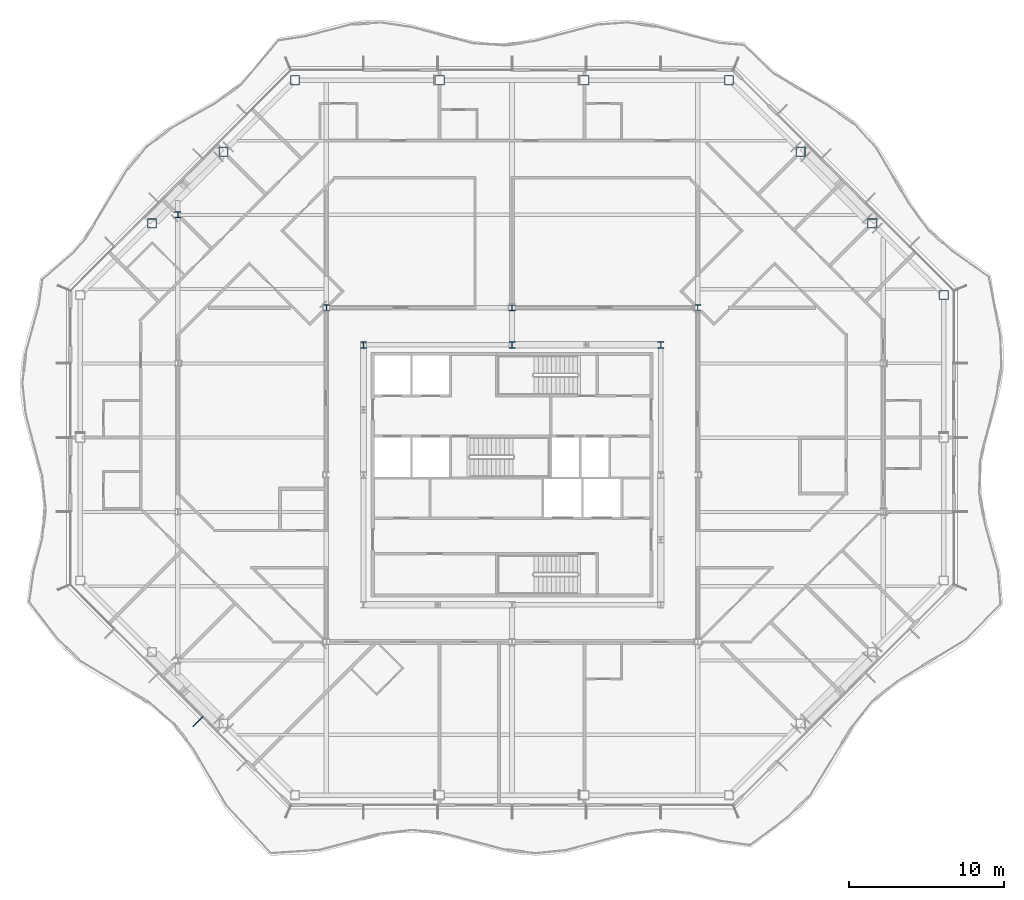
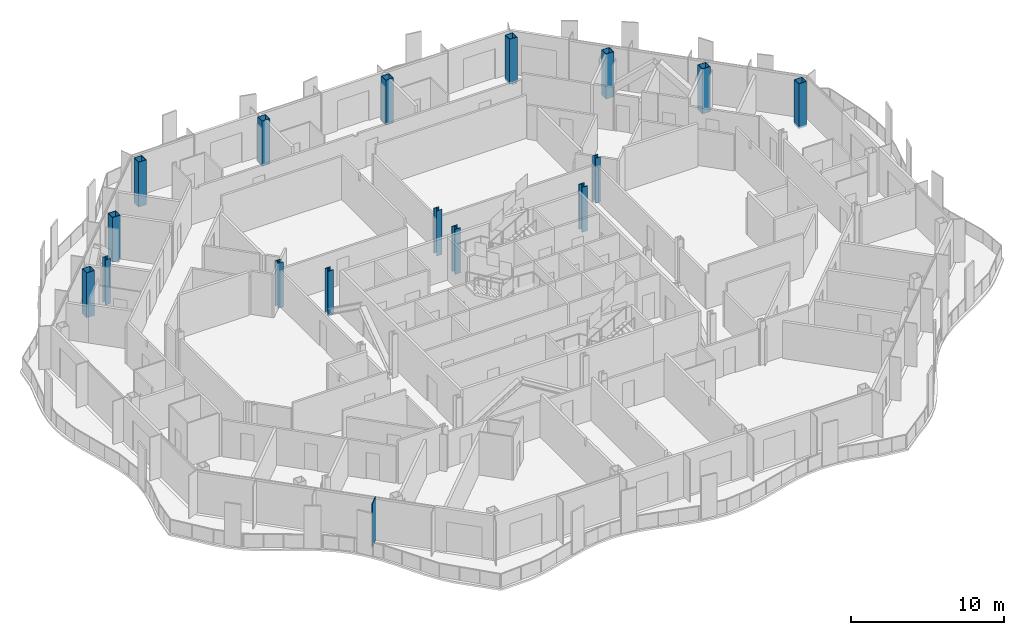
# One storey, part 2 of 21: 16 columns, 1 member, 1 element without a shape of its own.
"""IFC4 building model written with IfcOpenShell, lengths in metres."""

from ifc_helpers import new_model, si_unit, direction, frame, origin, origin_2d, place, context, subcontext, project, spatial, rectangle, hollow_rectangle, i_section, extrude, clip, halfspace, material, material_profile, profile_set, type_object, element, aggregate, save


model = new_model("IFC4")

# Units and contexts
model_context = context("Model", 3, precision=1e-05, world=origin(), true_north=direction((0.0, 1.0)))
body_context = subcontext(model_context, "Body", "Model", "MODEL_VIEW")
ifc_project = project(units=[si_unit("LENGTHUNIT", "METRE"), si_unit("AREAUNIT", "SQUARE_METRE"), si_unit("VOLUMEUNIT", "CUBIC_METRE"), si_unit("PLANEANGLEUNIT", "RADIAN"), si_unit("MASSUNIT", "GRAM", prefix="KILO")], contexts=[model_context])

# Site, building, storey
site_placement = place(None, origin())
site = spatial("IfcSite", under=ifc_project, at=site_placement, CompositionType="ELEMENT")
building_placement = place(site_placement, origin())
building = spatial("IfcBuilding", under=site, at=building_placement, Name="Cairn Pilgrim Tower", CompositionType="ELEMENT")
storey_placement = place(building_placement, frame((0.0, 0.0, 168.60009765625)))
storey = spatial("IfcBuildingStorey", under=building, at=storey_placement, Name="L42", CompositionType="ELEMENT", Elevation=168.60009765625)

# Columns
ifc_material_1 = material(Name="Structural steel S460M", Category="steel")
ifc_material_profile_1 = material_profile(ifc_material_1, hollow_rectangle(XDim=0.60009765625, YDim=0.60009765625, WallThickness=0.034912109375, at=origin_2d()), Name="BOX 600x600x35")
ifc_profile_set_1 = profile_set([ifc_material_profile_1], Name="Structural steel S460M")
column_type_1 = type_object("IfcColumnType", Name="BOX 600x600x35", PredefinedType="COLUMN", material=ifc_profile_set_1)
for number, where, z_axis, x_axis, name in (
    (1, (35.10009765625, 14.027099609375, -0.150146484375), (0.0, 0.0, 1.0), (1.0, 0.0, 0.0), "PC2-NE1"),
    (2, (30.4755859375, 18.651611328125, -0.150146484375), (0.0, 0.0, 1.0), (1.0, 0.0, 0.0), "PC2-NE2"),
    (3, (25.8515625, 23.275634765625, -0.150146484375), (0.0, 0.0, 1.0), (1.0, 0.0, 0.0), "PC2-NE3"),
    (4, (21.227294921875, 27.89990234375, -0.150146484375), (0.0, 0.0, 1.0), (1.0, 0.0, 0.0), "PC2-N1"),
    (5, (11.875732421875, 27.89990234375, -0.150146484375), (0.0, 0.0, 1.0), (1.0, 0.0, 0.0), "PC2-N2"),
    (6, (2.5244140625, 27.89990234375, -0.150146484375), (0.0, 0.0, 1.0), (1.0, 0.0, 0.0), "PC2-N3"),
    (7, (-6.8271484375, 27.89990234375, -0.150146484375), (0.0, 0.0, 1.0), (1.0, 0.0, 0.0), "PC2-NW1"),
    (8, (-11.451416015625, 23.275634765625, -0.150146484375), (0.0, 0.0, 1.0), (1.0, 0.0, 0.0), "PC2-NW2"),
    (9, (-16.07568359375, 18.651611328125, -0.150146484375), (0.0, 0.0, 1.0), (1.0, 0.0, 0.0), "PC2-NW3"),
):
    element("IfcColumn", number, at=place(storey_placement, frame(where, z_axis=z_axis, x_axis=x_axis)), inside=storey, type_object=column_type_1, Name=name, PredefinedType="COLUMN", context=body_context, shape_type="Clipping", body=[
        clip(extrude(hollow_rectangle(XDim=0.60009765625, YDim=0.60009765625, WallThickness=0.034912109375, at=origin_2d()), origin(), (0.0, 0.0, 1.0), 3.60009765625), halfspace(frame((0.0, 0.0, 3.5888671875), z_axis=(0.0, 0.0, 1.0), x_axis=(1.0, 0.0, 0.0)), False)),
    ])
ifc_material_2 = material(Name="Structural steel S355J2", Category="steel")
ifc_material_profile_2 = material_profile(ifc_material_2, i_section(OverallWidth=0.39892578125, OverallDepth=0.39306640625, WebThickness=0.022705078125, FlangeThickness=0.03662109375, FilletRadius=0.014892578125, at=origin_2d()), Name="HD 400x287")
ifc_profile_set_2 = profile_set([ifc_material_profile_2], Name="Structural steel S355J2")
column_type_2 = type_object("IfcColumnType", Name="HD 400x287", PredefinedType="COLUMN", material=ifc_profile_set_2)
for number, where, z_axis, x_axis, name in (
    (10, (-4.800048828125, 13.199951171875, -0.150146484375), (0.0, 0.0, 1.0), (1.0, 0.0, 0.0), "IC-6"),
    (11, (7.199951171875, 13.199951171875, -0.150146484375), (0.0, 0.0, 1.0), (1.0, 0.0, 0.0), "IC-7"),
    (12, (19.199951171875, 13.199951171875, -0.150146484375), (0.0, 0.0, 1.0), (1.0, 0.0, 0.0), "IC-8"),
    (13, (-14.39990234375, 19.199951171875, -0.150146484375), (0.0, 0.0, 1.0), (1.0, 0.0, 0.0), "WC-WW+4"),
):
    element("IfcColumn", number, at=place(storey_placement, frame(where, z_axis=z_axis, x_axis=x_axis)), inside=storey, type_object=column_type_2, Name=name, PredefinedType="COLUMN", context=body_context, shape_type="SweptSolid", body=[
        extrude(i_section(OverallWidth=0.39892578125, OverallDepth=0.39306640625, WebThickness=0.022705078125, FlangeThickness=0.03662109375, FilletRadius=0.014892578125, at=origin_2d()), origin(), (0.0, 0.0, 1.0), 3.60009765625),
    ])
ifc_material_profile_3 = material_profile(ifc_material_1, i_section(OverallWidth=0.416015625, OverallDepth=0.446044921875, WebThickness=0.0390625, FlangeThickness=0.062744140625, FilletRadius=0.014892578125, at=origin_2d()), Name="HD 400x509")
ifc_profile_set_3 = profile_set([ifc_material_profile_3], Name="Structural steel S460M")
column_type_3 = type_object("IfcColumnType", Name="HD 400x509", PredefinedType="COLUMN", material=ifc_profile_set_3)
for number, where, z_axis, x_axis, name in (
    (14, (-2.39990234375, 10.800048828125, -0.150146484375), (0.0, 0.0, 1.0), (1.0, 0.0, 0.0), "KC-6"),
    (15, (7.199951171875, 10.800048828125, -0.150146484375), (0.0, 0.0, 1.0), (1.0, 0.0, 0.0), "KC-7"),
    (16, (16.800048828125, 10.800048828125, -0.150146484375), (0.0, 0.0, 1.0), (1.0, 0.0, 0.0), "KC-8"),
):
    element("IfcColumn", number, at=place(storey_placement, frame(where, z_axis=z_axis, x_axis=x_axis)), inside=storey, type_object=column_type_3, Name=name, PredefinedType="COLUMN", context=body_context, shape_type="SweptSolid", body=[
        extrude(i_section(OverallWidth=0.416015625, OverallDepth=0.446044921875, WebThickness=0.0390625, FlangeThickness=0.062744140625, FilletRadius=0.014892578125, at=origin_2d()), origin(), (0.0, 0.0, 1.0), 3.60009765625),
    ])

# Curtain wall, member
ifc_material_3 = material(Name="Aluminium alloy 6063-T6 bronze anodised with Bronze tinted laminated low-E glass 8+16+8.8", Category="aluminium")
curtain_wall_type = type_object("IfcCurtainWallType", Name="CHAMFER CORNER CURTAIN WALL", PredefinedType="NOTDEFINED", material=ifc_material_3)
curtain_wall_placement = place(storey_placement, origin())
curtain_wall = element("IfcCurtainWall", 17, at=curtain_wall_placement, inside=storey, type_object=curtain_wall_type, Name="Chamfer Corner Curtain Wall SW", PredefinedType="NOTDEFINED")
ifc_material_4 = material(Name="Aluminium alloy 6063-T6 bronze anodised", Category="aluminium")
ifc_material_profile_4 = material_profile(ifc_material_4, rectangle(XDim=0.89990234375, YDim=0.06005859375, at=origin_2d()), Name="FIN MULLION 60x900 BRONZE")
ifc_profile_set_4 = profile_set([ifc_material_profile_4], Name="Aluminium alloy 6063-T6 bronze anodised")
member_type = type_object("IfcMemberType", Name="FIN MULLION 60x900 BRONZE", PredefinedType="MULLION", material=ifc_profile_set_4)
member_placement = place(storey_placement, frame((-13.094970703125, -13.545654296875, 0.0), z_axis=(0.0, 0.0, 1.0), x_axis=(-0.707106781187, -0.707106781187, 0.0)))
member = element("IfcMember", 18, at=member_placement, type_object=member_type, Name="Fin mullion SW4", PredefinedType="MULLION", context=body_context, shape_type="SweptSolid", body=[
    extrude(rectangle(XDim=0.89990234375, YDim=0.06005859375, at=origin_2d()), origin(), (0.0, 0.0, 1.0), 3.449951171875),
])
aggregate(curtain_wall, [member])

save(model, "model.ifc")
